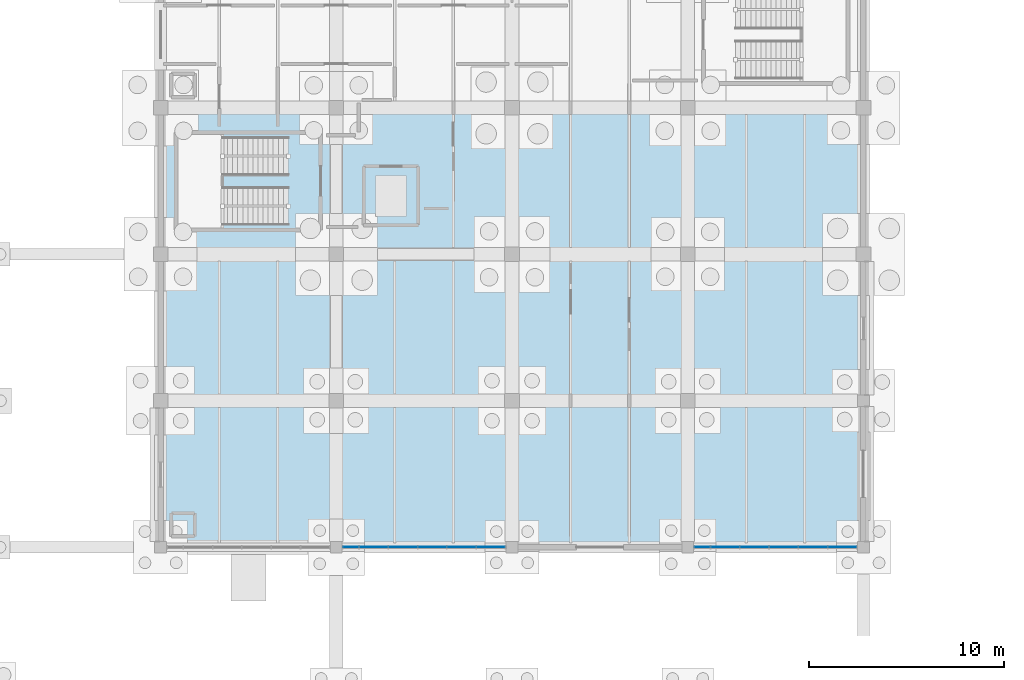
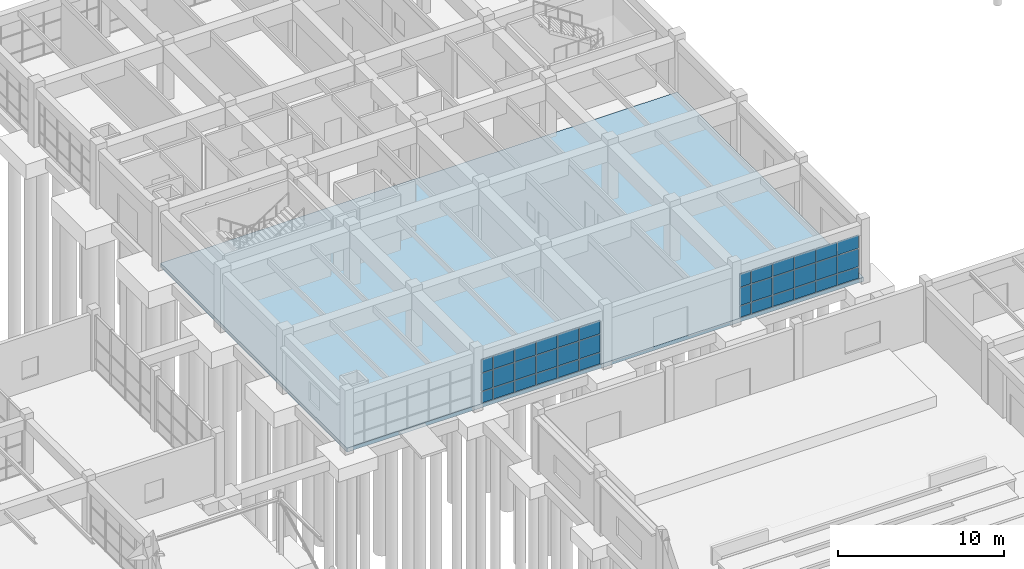
# One storey, part 47 of 93: 36 plates, 1 slab, 2 elements without a shape of their own.
"""IFC4 building model written with IfcOpenShell, lengths in metres."""

from ifc_helpers import new_model, si_unit, direction, frame, origin, origin_2d, place, context, subcontext, project, spatial, polyline, rectangle, outline, extrude, material, layer, layer_set, type_object, element, aggregate, save


model = new_model("IFC4")

# Units and contexts
model_context = context("Model", 3, precision=1e-05, world=origin(), true_north=direction((0.0, 1.0)))
body_context = subcontext(model_context, "Body", "Model", "MODEL_VIEW")
ifc_project = project(units=[si_unit("LENGTHUNIT", "METRE"), si_unit("AREAUNIT", "SQUARE_METRE"), si_unit("VOLUMEUNIT", "CUBIC_METRE"), si_unit("PLANEANGLEUNIT", "RADIAN"), si_unit("MASSUNIT", "GRAM", prefix="KILO")], contexts=[model_context])

# Site, building, storey
site_placement = place(None, origin())
site = spatial("IfcSite", under=ifc_project, at=site_placement, CompositionType="ELEMENT")
building_placement = place(site_placement, origin())
building = spatial("IfcBuilding", under=site, at=building_placement, Name="Marnridge Secondary College", CompositionType="ELEMENT")
storey_placement = place(building_placement, origin())
storey = spatial("IfcBuildingStorey", under=building, at=storey_placement, Name="L00", CompositionType="ELEMENT", Elevation=0.0)

# Curtain wall, plates
ifc_material_1 = material(Name="Thermally broken aluminium and low-E glazing", Category="aluminium")
ifc_layer_1 = layer(ifc_material_1, 0.159912109375)
ifc_layer_set_1 = layer_set([ifc_layer_1], Name="CW-MOD-1500")
curtain_wall_type = type_object("IfcCurtainWallType", Name="CW-MOD-1500", PredefinedType="NOTDEFINED", material=ifc_layer_set_1)
curtain_wall_1_placement = place(storey_placement, origin())
curtain_wall_1 = element("IfcCurtainWall", 1, at=curtain_wall_1_placement, inside=storey, type_object=curtain_wall_type, Name="Unitised curtain wall CW-L00-004", PredefinedType="NOTDEFINED")
ifc_material_2 = material(Name="Double-glazed low-E argon unit", Category="glass")
ifc_layer_2 = layer(ifc_material_2, 0.028076171875)
ifc_layer_set_2 = layer_set([ifc_layer_2], Name="CWP-GLZ28")
plate_type = type_object("IfcPlateType", Name="CWP-GLZ28", PredefinedType="CURTAIN_PANEL", material=ifc_layer_set_2)
plate_1_placement = place(storey_placement, frame((88.916015625, 37.5, 0.06005859375), z_axis=(0.0, 0.0, 1.0), x_axis=(-1.0, 0.0, 0.0)))
plate_1 = element("IfcPlate", 2, at=plate_1_placement, type_object=plate_type, Name="CW-L00-004 panel 1.1", PredefinedType="CURTAIN_PANEL", context=body_context, shape_type="SweptSolid", body=[
    extrude(rectangle(XDim=1.43994140625, YDim=0.028076171875, at=origin_2d()), origin(), (0.0, 0.0, 1.0), 0.81005859375),
])
plate_2_placement = place(storey_placement, frame((88.916015625, 37.5, 0.929931640625), z_axis=(0.0, 0.0, 1.0), x_axis=(-1.0, 0.0, 0.0)))
plate_2 = element("IfcPlate", 3, at=plate_2_placement, type_object=plate_type, Name="CW-L00-004 panel 1.2", PredefinedType="CURTAIN_PANEL", context=body_context, shape_type="SweptSolid", body=[
    extrude(rectangle(XDim=1.43994140625, YDim=0.028076171875, at=origin_2d()), origin(), (0.0, 0.0, 1.0), 1.2900390625),
])
plate_3_placement = place(storey_placement, frame((88.916015625, 37.5, 2.280029296875), z_axis=(0.0, 0.0, 1.0), x_axis=(-1.0, 0.0, 0.0)))
plate_3 = element("IfcPlate", 4, at=plate_3_placement, type_object=plate_type, Name="CW-L00-004 panel 1.3", PredefinedType="CURTAIN_PANEL", context=body_context, shape_type="SweptSolid", body=[
    extrude(rectangle(XDim=1.43994140625, YDim=0.028076171875, at=origin_2d()), origin(), (0.0, 0.0, 1.0), 0.98193359375),
])
plate_4_placement = place(storey_placement, frame((87.416015625, 37.5, 0.06005859375), z_axis=(0.0, 0.0, 1.0), x_axis=(-1.0, 0.0, 0.0)))
plate_4 = element("IfcPlate", 5, at=plate_4_placement, type_object=plate_type, Name="CW-L00-004 panel 2.1", PredefinedType="CURTAIN_PANEL", context=body_context, shape_type="SweptSolid", body=[
    extrude(rectangle(XDim=1.43994140625, YDim=0.028076171875, at=origin_2d()), origin(), (0.0, 0.0, 1.0), 0.81005859375),
])
plate_5_placement = place(storey_placement, frame((87.416015625, 37.5, 0.929931640625), z_axis=(0.0, 0.0, 1.0), x_axis=(-1.0, 0.0, 0.0)))
plate_5 = element("IfcPlate", 6, at=plate_5_placement, type_object=plate_type, Name="CW-L00-004 panel 2.2", PredefinedType="CURTAIN_PANEL", context=body_context, shape_type="SweptSolid", body=[
    extrude(rectangle(XDim=1.43994140625, YDim=0.028076171875, at=origin_2d()), origin(), (0.0, 0.0, 1.0), 1.2900390625),
])
plate_6_placement = place(storey_placement, frame((87.416015625, 37.5, 2.280029296875), z_axis=(0.0, 0.0, 1.0), x_axis=(-1.0, 0.0, 0.0)))
plate_6 = element("IfcPlate", 7, at=plate_6_placement, type_object=plate_type, Name="CW-L00-004 panel 2.3", PredefinedType="CURTAIN_PANEL", context=body_context, shape_type="SweptSolid", body=[
    extrude(rectangle(XDim=1.43994140625, YDim=0.028076171875, at=origin_2d()), origin(), (0.0, 0.0, 1.0), 0.98193359375),
])
plate_7_placement = place(storey_placement, frame((85.916015625, 37.5, 0.06005859375), z_axis=(0.0, 0.0, 1.0), x_axis=(-1.0, 0.0, 0.0)))
plate_7 = element("IfcPlate", 8, at=plate_7_placement, type_object=plate_type, Name="CW-L00-004 panel 3.1", PredefinedType="CURTAIN_PANEL", context=body_context, shape_type="SweptSolid", body=[
    extrude(rectangle(XDim=1.43994140625, YDim=0.028076171875, at=origin_2d()), origin(), (0.0, 0.0, 1.0), 0.81005859375),
])
plate_8_placement = place(storey_placement, frame((85.916015625, 37.5, 0.929931640625), z_axis=(0.0, 0.0, 1.0), x_axis=(-1.0, 0.0, 0.0)))
plate_8 = element("IfcPlate", 9, at=plate_8_placement, type_object=plate_type, Name="CW-L00-004 panel 3.2", PredefinedType="CURTAIN_PANEL", context=body_context, shape_type="SweptSolid", body=[
    extrude(rectangle(XDim=1.43994140625, YDim=0.028076171875, at=origin_2d()), origin(), (0.0, 0.0, 1.0), 1.2900390625),
])
plate_9_placement = place(storey_placement, frame((85.916015625, 37.5, 2.280029296875), z_axis=(0.0, 0.0, 1.0), x_axis=(-1.0, 0.0, 0.0)))
plate_9 = element("IfcPlate", 10, at=plate_9_placement, type_object=plate_type, Name="CW-L00-004 panel 3.3", PredefinedType="CURTAIN_PANEL", context=body_context, shape_type="SweptSolid", body=[
    extrude(rectangle(XDim=1.43994140625, YDim=0.028076171875, at=origin_2d()), origin(), (0.0, 0.0, 1.0), 0.98193359375),
])
plate_10_placement = place(storey_placement, frame((84.416015625, 37.5, 0.06005859375), z_axis=(0.0, 0.0, 1.0), x_axis=(-1.0, 0.0, 0.0)))
plate_10 = element("IfcPlate", 11, at=plate_10_placement, type_object=plate_type, Name="CW-L00-004 panel 4.1", PredefinedType="CURTAIN_PANEL", context=body_context, shape_type="SweptSolid", body=[
    extrude(rectangle(XDim=1.43994140625, YDim=0.028076171875, at=origin_2d()), origin(), (0.0, 0.0, 1.0), 0.81005859375),
])
plate_11_placement = place(storey_placement, frame((84.416015625, 37.5, 0.929931640625), z_axis=(0.0, 0.0, 1.0), x_axis=(-1.0, 0.0, 0.0)))
plate_11 = element("IfcPlate", 12, at=plate_11_placement, type_object=plate_type, Name="CW-L00-004 panel 4.2", PredefinedType="CURTAIN_PANEL", context=body_context, shape_type="SweptSolid", body=[
    extrude(rectangle(XDim=1.43994140625, YDim=0.028076171875, at=origin_2d()), origin(), (0.0, 0.0, 1.0), 1.2900390625),
])
plate_12_placement = place(storey_placement, frame((84.416015625, 37.5, 2.280029296875), z_axis=(0.0, 0.0, 1.0), x_axis=(-1.0, 0.0, 0.0)))
plate_12 = element("IfcPlate", 13, at=plate_12_placement, type_object=plate_type, Name="CW-L00-004 panel 4.3", PredefinedType="CURTAIN_PANEL", context=body_context, shape_type="SweptSolid", body=[
    extrude(rectangle(XDim=1.43994140625, YDim=0.028076171875, at=origin_2d()), origin(), (0.0, 0.0, 1.0), 0.98193359375),
])
plate_13_placement = place(storey_placement, frame((82.916015625, 37.5, 0.06005859375), z_axis=(0.0, 0.0, 1.0), x_axis=(-1.0, 0.0, 0.0)))
plate_13 = element("IfcPlate", 14, at=plate_13_placement, type_object=plate_type, Name="CW-L00-004 panel 5.1", PredefinedType="CURTAIN_PANEL", context=body_context, shape_type="SweptSolid", body=[
    extrude(rectangle(XDim=1.43994140625, YDim=0.028076171875, at=origin_2d()), origin(), (0.0, 0.0, 1.0), 0.81005859375),
])
plate_14_placement = place(storey_placement, frame((82.916015625, 37.5, 0.929931640625), z_axis=(0.0, 0.0, 1.0), x_axis=(-1.0, 0.0, 0.0)))
plate_14 = element("IfcPlate", 15, at=plate_14_placement, type_object=plate_type, Name="CW-L00-004 panel 5.2", PredefinedType="CURTAIN_PANEL", context=body_context, shape_type="SweptSolid", body=[
    extrude(rectangle(XDim=1.43994140625, YDim=0.028076171875, at=origin_2d()), origin(), (0.0, 0.0, 1.0), 1.2900390625),
])
plate_15_placement = place(storey_placement, frame((82.916015625, 37.5, 2.280029296875), z_axis=(0.0, 0.0, 1.0), x_axis=(-1.0, 0.0, 0.0)))
plate_15 = element("IfcPlate", 16, at=plate_15_placement, type_object=plate_type, Name="CW-L00-004 panel 5.3", PredefinedType="CURTAIN_PANEL", context=body_context, shape_type="SweptSolid", body=[
    extrude(rectangle(XDim=1.43994140625, YDim=0.028076171875, at=origin_2d()), origin(), (0.0, 0.0, 1.0), 0.98193359375),
])
plate_16_placement = place(storey_placement, frame((81.75, 37.5, 0.06005859375), z_axis=(0.0, 0.0, 1.0), x_axis=(-1.0, 0.0, 0.0)))
plate_16 = element("IfcPlate", 17, at=plate_16_placement, type_object=plate_type, Name="CW-L00-004 panel 6.1", PredefinedType="CURTAIN_PANEL", context=body_context, shape_type="SweptSolid", body=[
    extrude(rectangle(XDim=0.77197265625, YDim=0.028076171875, at=origin_2d()), origin(), (0.0, 0.0, 1.0), 0.81005859375),
])
plate_17_placement = place(storey_placement, frame((81.75, 37.5, 0.929931640625), z_axis=(0.0, 0.0, 1.0), x_axis=(-1.0, 0.0, 0.0)))
plate_17 = element("IfcPlate", 18, at=plate_17_placement, type_object=plate_type, Name="CW-L00-004 panel 6.2", PredefinedType="CURTAIN_PANEL", context=body_context, shape_type="SweptSolid", body=[
    extrude(rectangle(XDim=0.77197265625, YDim=0.028076171875, at=origin_2d()), origin(), (0.0, 0.0, 1.0), 1.2900390625),
])
plate_18_placement = place(storey_placement, frame((81.75, 37.5, 2.280029296875), z_axis=(0.0, 0.0, 1.0), x_axis=(-1.0, 0.0, 0.0)))
plate_18 = element("IfcPlate", 19, at=plate_18_placement, type_object=plate_type, Name="CW-L00-004 panel 6.3", PredefinedType="CURTAIN_PANEL", context=body_context, shape_type="SweptSolid", body=[
    extrude(rectangle(XDim=0.77197265625, YDim=0.028076171875, at=origin_2d()), origin(), (0.0, 0.0, 1.0), 0.98193359375),
])
aggregate(curtain_wall_1, [plate_1, plate_2, plate_3, plate_4, plate_5, plate_6, plate_7, plate_8, plate_9, plate_10, plate_11, plate_12, plate_13, plate_14, plate_15, plate_16, plate_17, plate_18])

curtain_wall_2_placement = place(storey_placement, origin())
curtain_wall_2 = element("IfcCurtainWall", 20, at=curtain_wall_2_placement, inside=storey, type_object=curtain_wall_type, Name="Unitised curtain wall CW-L00-005", PredefinedType="NOTDEFINED")
plate_19_placement = place(storey_placement, frame((70.916015625, 37.5, 0.06005859375), z_axis=(0.0, 0.0, 1.0), x_axis=(-1.0, 0.0, 0.0)))
plate_19 = element("IfcPlate", 21, at=plate_19_placement, type_object=plate_type, Name="CW-L00-005 panel 1.1", PredefinedType="CURTAIN_PANEL", context=body_context, shape_type="SweptSolid", body=[
    extrude(rectangle(XDim=1.43994140625, YDim=0.028076171875, at=origin_2d()), origin(), (0.0, 0.0, 1.0), 0.81005859375),
])
plate_20_placement = place(storey_placement, frame((70.916015625, 37.5, 0.929931640625), z_axis=(0.0, 0.0, 1.0), x_axis=(-1.0, 0.0, 0.0)))
plate_20 = element("IfcPlate", 22, at=plate_20_placement, type_object=plate_type, Name="CW-L00-005 panel 1.2", PredefinedType="CURTAIN_PANEL", context=body_context, shape_type="SweptSolid", body=[
    extrude(rectangle(XDim=1.43994140625, YDim=0.028076171875, at=origin_2d()), origin(), (0.0, 0.0, 1.0), 1.2900390625),
])
plate_21_placement = place(storey_placement, frame((70.916015625, 37.5, 2.280029296875), z_axis=(0.0, 0.0, 1.0), x_axis=(-1.0, 0.0, 0.0)))
plate_21 = element("IfcPlate", 23, at=plate_21_placement, type_object=plate_type, Name="CW-L00-005 panel 1.3", PredefinedType="CURTAIN_PANEL", context=body_context, shape_type="SweptSolid", body=[
    extrude(rectangle(XDim=1.43994140625, YDim=0.028076171875, at=origin_2d()), origin(), (0.0, 0.0, 1.0), 0.98193359375),
])
plate_22_placement = place(storey_placement, frame((69.416015625, 37.5, 0.06005859375), z_axis=(0.0, 0.0, 1.0), x_axis=(-1.0, 0.0, 0.0)))
plate_22 = element("IfcPlate", 24, at=plate_22_placement, type_object=plate_type, Name="CW-L00-005 panel 2.1", PredefinedType="CURTAIN_PANEL", context=body_context, shape_type="SweptSolid", body=[
    extrude(rectangle(XDim=1.43994140625, YDim=0.028076171875, at=origin_2d()), origin(), (0.0, 0.0, 1.0), 0.81005859375),
])
plate_23_placement = place(storey_placement, frame((69.416015625, 37.5, 0.929931640625), z_axis=(0.0, 0.0, 1.0), x_axis=(-1.0, 0.0, 0.0)))
plate_23 = element("IfcPlate", 25, at=plate_23_placement, type_object=plate_type, Name="CW-L00-005 panel 2.2", PredefinedType="CURTAIN_PANEL", context=body_context, shape_type="SweptSolid", body=[
    extrude(rectangle(XDim=1.43994140625, YDim=0.028076171875, at=origin_2d()), origin(), (0.0, 0.0, 1.0), 1.2900390625),
])
plate_24_placement = place(storey_placement, frame((69.416015625, 37.5, 2.280029296875), z_axis=(0.0, 0.0, 1.0), x_axis=(-1.0, 0.0, 0.0)))
plate_24 = element("IfcPlate", 26, at=plate_24_placement, type_object=plate_type, Name="CW-L00-005 panel 2.3", PredefinedType="CURTAIN_PANEL", context=body_context, shape_type="SweptSolid", body=[
    extrude(rectangle(XDim=1.43994140625, YDim=0.028076171875, at=origin_2d()), origin(), (0.0, 0.0, 1.0), 0.98193359375),
])
plate_25_placement = place(storey_placement, frame((67.916015625, 37.5, 0.06005859375), z_axis=(0.0, 0.0, 1.0), x_axis=(-1.0, 0.0, 0.0)))
plate_25 = element("IfcPlate", 27, at=plate_25_placement, type_object=plate_type, Name="CW-L00-005 panel 3.1", PredefinedType="CURTAIN_PANEL", context=body_context, shape_type="SweptSolid", body=[
    extrude(rectangle(XDim=1.43994140625, YDim=0.028076171875, at=origin_2d()), origin(), (0.0, 0.0, 1.0), 0.81005859375),
])
plate_26_placement = place(storey_placement, frame((67.916015625, 37.5, 0.929931640625), z_axis=(0.0, 0.0, 1.0), x_axis=(-1.0, 0.0, 0.0)))
plate_26 = element("IfcPlate", 28, at=plate_26_placement, type_object=plate_type, Name="CW-L00-005 panel 3.2", PredefinedType="CURTAIN_PANEL", context=body_context, shape_type="SweptSolid", body=[
    extrude(rectangle(XDim=1.43994140625, YDim=0.028076171875, at=origin_2d()), origin(), (0.0, 0.0, 1.0), 1.2900390625),
])
plate_27_placement = place(storey_placement, frame((67.916015625, 37.5, 2.280029296875), z_axis=(0.0, 0.0, 1.0), x_axis=(-1.0, 0.0, 0.0)))
plate_27 = element("IfcPlate", 29, at=plate_27_placement, type_object=plate_type, Name="CW-L00-005 panel 3.3", PredefinedType="CURTAIN_PANEL", context=body_context, shape_type="SweptSolid", body=[
    extrude(rectangle(XDim=1.43994140625, YDim=0.028076171875, at=origin_2d()), origin(), (0.0, 0.0, 1.0), 0.98193359375),
])
plate_28_placement = place(storey_placement, frame((66.416015625, 37.5, 0.06005859375), z_axis=(0.0, 0.0, 1.0), x_axis=(-1.0, 0.0, 0.0)))
plate_28 = element("IfcPlate", 30, at=plate_28_placement, type_object=plate_type, Name="CW-L00-005 panel 4.1", PredefinedType="CURTAIN_PANEL", context=body_context, shape_type="SweptSolid", body=[
    extrude(rectangle(XDim=1.43994140625, YDim=0.028076171875, at=origin_2d()), origin(), (0.0, 0.0, 1.0), 0.81005859375),
])
plate_29_placement = place(storey_placement, frame((66.416015625, 37.5, 0.929931640625), z_axis=(0.0, 0.0, 1.0), x_axis=(-1.0, 0.0, 0.0)))
plate_29 = element("IfcPlate", 31, at=plate_29_placement, type_object=plate_type, Name="CW-L00-005 panel 4.2", PredefinedType="CURTAIN_PANEL", context=body_context, shape_type="SweptSolid", body=[
    extrude(rectangle(XDim=1.43994140625, YDim=0.028076171875, at=origin_2d()), origin(), (0.0, 0.0, 1.0), 1.2900390625),
])
plate_30_placement = place(storey_placement, frame((66.416015625, 37.5, 2.280029296875), z_axis=(0.0, 0.0, 1.0), x_axis=(-1.0, 0.0, 0.0)))
plate_30 = element("IfcPlate", 32, at=plate_30_placement, type_object=plate_type, Name="CW-L00-005 panel 4.3", PredefinedType="CURTAIN_PANEL", context=body_context, shape_type="SweptSolid", body=[
    extrude(rectangle(XDim=1.43994140625, YDim=0.028076171875, at=origin_2d()), origin(), (0.0, 0.0, 1.0), 0.98193359375),
])
plate_31_placement = place(storey_placement, frame((64.916015625, 37.5, 0.06005859375), z_axis=(0.0, 0.0, 1.0), x_axis=(-1.0, 0.0, 0.0)))
plate_31 = element("IfcPlate", 33, at=plate_31_placement, type_object=plate_type, Name="CW-L00-005 panel 5.1", PredefinedType="CURTAIN_PANEL", context=body_context, shape_type="SweptSolid", body=[
    extrude(rectangle(XDim=1.43994140625, YDim=0.028076171875, at=origin_2d()), origin(), (0.0, 0.0, 1.0), 0.81005859375),
])
plate_32_placement = place(storey_placement, frame((64.916015625, 37.5, 0.929931640625), z_axis=(0.0, 0.0, 1.0), x_axis=(-1.0, 0.0, 0.0)))
plate_32 = element("IfcPlate", 34, at=plate_32_placement, type_object=plate_type, Name="CW-L00-005 panel 5.2", PredefinedType="CURTAIN_PANEL", context=body_context, shape_type="SweptSolid", body=[
    extrude(rectangle(XDim=1.43994140625, YDim=0.028076171875, at=origin_2d()), origin(), (0.0, 0.0, 1.0), 1.2900390625),
])
plate_33_placement = place(storey_placement, frame((64.916015625, 37.5, 2.280029296875), z_axis=(0.0, 0.0, 1.0), x_axis=(-1.0, 0.0, 0.0)))
plate_33 = element("IfcPlate", 35, at=plate_33_placement, type_object=plate_type, Name="CW-L00-005 panel 5.3", PredefinedType="CURTAIN_PANEL", context=body_context, shape_type="SweptSolid", body=[
    extrude(rectangle(XDim=1.43994140625, YDim=0.028076171875, at=origin_2d()), origin(), (0.0, 0.0, 1.0), 0.98193359375),
])
plate_34_placement = place(storey_placement, frame((63.75, 37.5, 0.06005859375), z_axis=(0.0, 0.0, 1.0), x_axis=(-1.0, 0.0, 0.0)))
plate_34 = element("IfcPlate", 36, at=plate_34_placement, type_object=plate_type, Name="CW-L00-005 panel 6.1", PredefinedType="CURTAIN_PANEL", context=body_context, shape_type="SweptSolid", body=[
    extrude(rectangle(XDim=0.77197265625, YDim=0.028076171875, at=origin_2d()), origin(), (0.0, 0.0, 1.0), 0.81005859375),
])
plate_35_placement = place(storey_placement, frame((63.75, 37.5, 0.929931640625), z_axis=(0.0, 0.0, 1.0), x_axis=(-1.0, 0.0, 0.0)))
plate_35 = element("IfcPlate", 37, at=plate_35_placement, type_object=plate_type, Name="CW-L00-005 panel 6.2", PredefinedType="CURTAIN_PANEL", context=body_context, shape_type="SweptSolid", body=[
    extrude(rectangle(XDim=0.77197265625, YDim=0.028076171875, at=origin_2d()), origin(), (0.0, 0.0, 1.0), 1.2900390625),
])
plate_36_placement = place(storey_placement, frame((63.75, 37.5, 2.280029296875), z_axis=(0.0, 0.0, 1.0), x_axis=(-1.0, 0.0, 0.0)))
plate_36 = element("IfcPlate", 38, at=plate_36_placement, type_object=plate_type, Name="CW-L00-005 panel 6.3", PredefinedType="CURTAIN_PANEL", context=body_context, shape_type="SweptSolid", body=[
    extrude(rectangle(XDim=0.77197265625, YDim=0.028076171875, at=origin_2d()), origin(), (0.0, 0.0, 1.0), 0.98193359375),
])
aggregate(curtain_wall_2, [plate_19, plate_20, plate_21, plate_22, plate_23, plate_24, plate_25, plate_26, plate_27, plate_28, plate_29, plate_30, plate_31, plate_32, plate_33, plate_34, plate_35, plate_36])

# Slab
ifc_material_3 = material(Name="Concrete C40/50 (AS 3600 N40, 40 MPa)", Category="concrete")
ifc_layer_3 = layer(ifc_material_3, 0.300048828125)
ifc_layer_set_3 = layer_set([ifc_layer_3], Name="SL-BASE-300")
slab_type = type_object("IfcSlabType", Name="SL-BASE-300", PredefinedType="BASESLAB", material=ifc_layer_set_3)
slab_placement = place(storey_placement, frame((0.0, 0.0, -0.300048828125)))
element("IfcSlab", 39, at=slab_placement, inside=storey, type_object=slab_type, Name="Floor slab SL-L00-001", PredefinedType="BASESLAB", context=body_context, shape_type="SweptSolid", body=[
    extrude(outline(polyline([(54.0, 60.0), (90.0, 60.0), (90.0, 37.5), (54.0, 37.5), (54.0, 60.0)])), origin(), (0.0, 0.0, 1.0), 0.300048828125),
])

save(model, "model.ifc")
